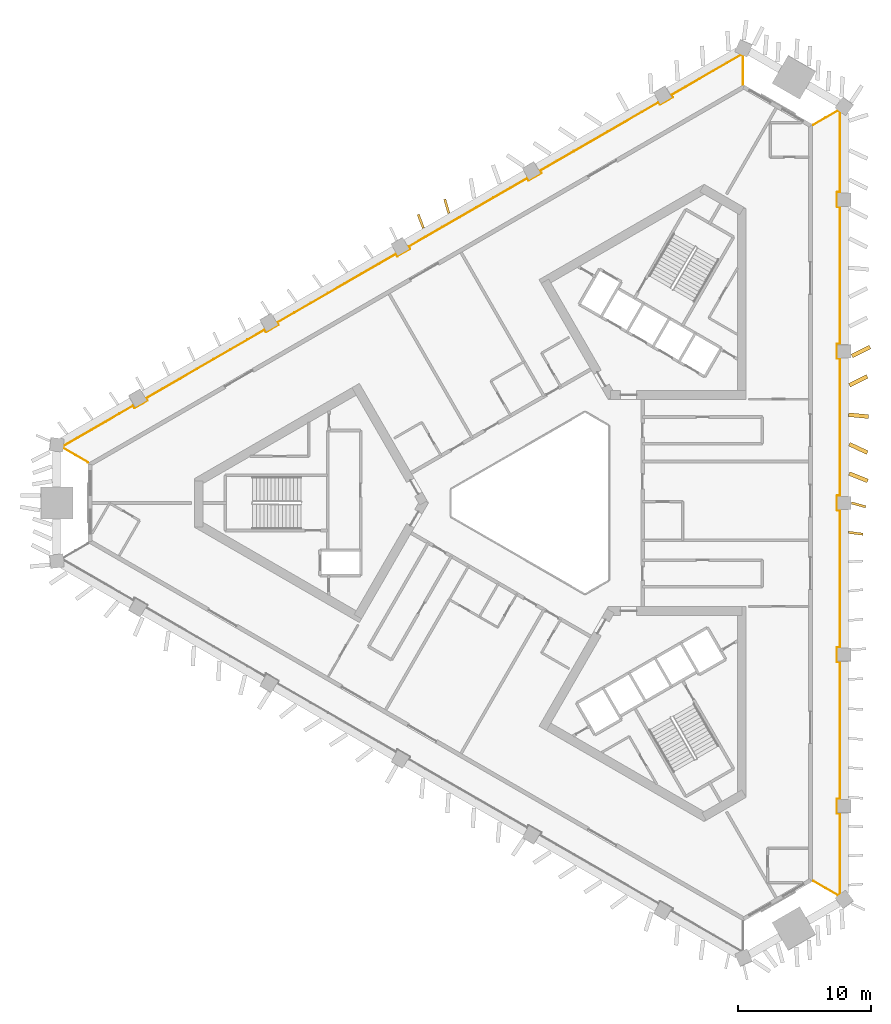
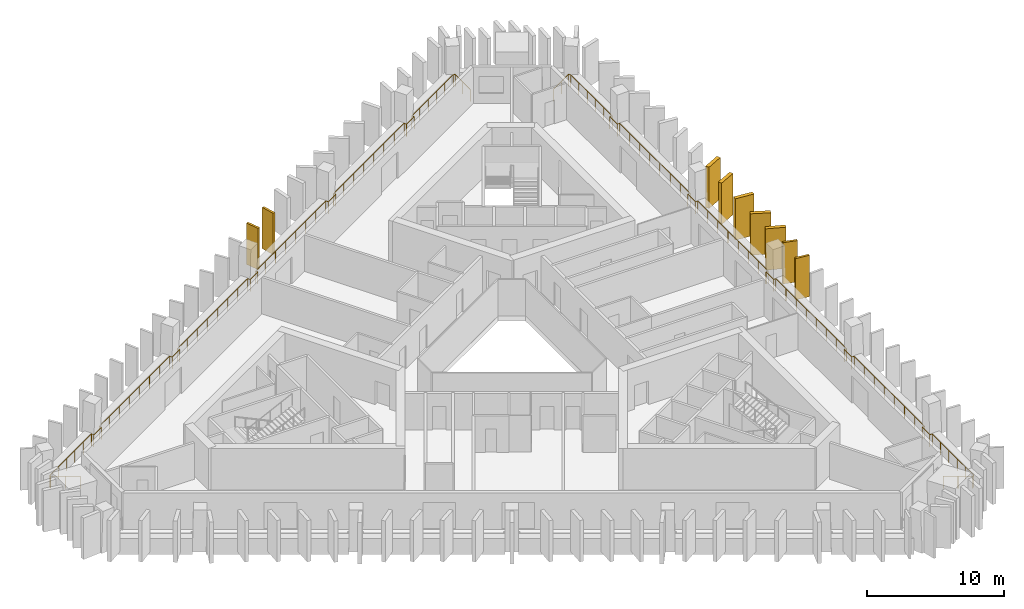
# One storey, part 9 of 10: 9 shading devices, 2 railings.
"""IFC4 building model written with IfcOpenShell, lengths in metres."""

import ifcopenshell
import ifcopenshell.guid

model = None  # the IFC model being written
_history = None  # IfcOwnerHistory: only IFC2X3 demands one
_inside = {}  # id of a spatial element -> (the spatial element, [elements in it])
_under = {}  # id of a project, library or spatial element -> (it, [spatial elements below it])
_declared = {}  # id of a project -> (the project, [libraries it declares])
_typed = {}  # id of a type object -> (the type object, [elements of that type])
_made_of = {}  # id of a material, layer set ... -> (it, [elements and type objects made of it])


def new_model(schema):
    """Start an empty IFC model of exactly this schema.

    Asked for "IFC4X3", IfcOpenShell would pick the latest addendum, in which some entities
    have other attributes; the version numbers below select the first issue.
    IFC2X3 requires an IfcOwnerHistory on every rooted entity: one is made here for all.
    """
    global model, _history
    if schema == "IFC4X3":
        model = ifcopenshell.file(schema_version=(4, 3, 0, 0))
    else:
        model = ifcopenshell.file(schema=schema)
    _inside.clear()
    _under.clear()
    _declared.clear()
    _typed.clear()
    _made_of.clear()
    _history = None
    if model.schema == "IFC2X3":
        org = make("IfcOrganization", Name="unknown")
        user = make(
            "IfcPersonAndOrganization",
            ThePerson=make("IfcPerson", FamilyName="unknown"),
            TheOrganization=org,
        )
        app = make(
            "IfcApplication",
            ApplicationDeveloper=org,
            Version="unknown",
            ApplicationFullName="unknown",
            ApplicationIdentifier="unknown",
        )
        _history = make(
            "IfcOwnerHistory",
            OwningUser=user,
            OwningApplication=app,
            ChangeAction="ADDED",
            CreationDate=0,
        )
    return model


def make(cls, **values):
    """One entity of the class cls with the attributes given. An attribute that is None is left unset."""
    return model.create_entity(
        cls, **{name: value for name, value in values.items() if value is not None}
    )


def rooted(cls, **values):
    """An entity with a GlobalId (a new one), such as an element, a storey or a relation."""
    return make(cls, GlobalId=ifcopenshell.guid.new(), OwnerHistory=_history, **values)


def si_unit(unit_type, name, prefix=None):
    """IfcSIUnit, for example si_unit("LENGTHUNIT", "METRE", prefix="MILLI")."""
    return make("IfcSIUnit", UnitType=unit_type, Prefix=prefix, Name=name)


def assignment(units):
    """IfcUnitAssignment: the units of a project."""
    return None if units is None else make("IfcUnitAssignment", Units=units)


def point(xyz):
    """IfcCartesianPoint."""
    return None if xyz is None else make("IfcCartesianPoint", Coordinates=xyz)


def direction(xyz):
    """IfcDirection."""
    return None if xyz is None else make("IfcDirection", DirectionRatios=xyz)


def frame(location, z_axis=None, x_axis=None):
    """IfcAxis2Placement3D, a coordinate frame: its origin and axes. An axis left out is left unset."""
    return make(
        "IfcAxis2Placement3D",
        Location=point(location),
        Axis=direction(z_axis),
        RefDirection=direction(x_axis),
    )


def frame_2d(location, x_axis=None):
    """IfcAxis2Placement2D, a coordinate frame in the plane: its origin and x axis."""
    return make(
        "IfcAxis2Placement2D", Location=point(location), RefDirection=direction(x_axis)
    )


def origin():
    """The frame at (0, 0, 0) with its axes left unset."""
    return frame((0.0, 0.0, 0.0))


def origin_2d():
    """The frame at (0, 0) in the plane with its x axis left unset."""
    return frame_2d((0.0, 0.0))


def place(relative_to, where):
    """IfcLocalPlacement: puts the frame where relative to a parent placement (None: the world)."""
    return make(
        "IfcLocalPlacement", PlacementRelTo=relative_to, RelativePlacement=where
    )


def context(
    kind, dimensions, precision=None, world=None, true_north=None, identifier=None
):
    """IfcGeometricRepresentationContext, for example the 3D "Model" context."""
    return make(
        "IfcGeometricRepresentationContext",
        ContextIdentifier=identifier,
        ContextType=kind,
        CoordinateSpaceDimension=dimensions,
        Precision=precision,
        WorldCoordinateSystem=world,
        TrueNorth=true_north,
    )


def subcontext(parent, identifier, kind, view, scale=None):
    """IfcGeometricRepresentationSubContext, for example "Body" below "Model"."""
    return make(
        "IfcGeometricRepresentationSubContext",
        ContextIdentifier=identifier,
        ContextType=kind,
        ParentContext=parent,
        TargetScale=scale,
        TargetView=view,
    )


def project(units=None, contexts=None):
    """IfcProject with its units and contexts."""
    return rooted(
        "IfcProject",
        Name="project",
        RepresentationContexts=contexts,
        UnitsInContext=assignment(units),
    )


def spatial(cls, under=None, at=None, **own):
    """A site, building, storey or space (cls), placed at a placement, below another one or the project."""
    s = rooted(cls, ObjectPlacement=at, **own)
    if under is not None:
        _under.setdefault(under.id(), (under, []))[1].append(s)
    return s


def profile(cls, at=None, kind="AREA", **sizes):
    """A parametric profile (cls). Its sizes go by their IFC names, for example OverallWidth=200.0."""
    return make(cls, ProfileType=kind, Position=at, **sizes)


def rectangle(**sizes):
    """IfcRectangleProfileDef."""
    return profile("IfcRectangleProfileDef", **sizes)


def circle(**sizes):
    """IfcCircleProfileDef."""
    return profile("IfcCircleProfileDef", **sizes)


def extrude(swept, where, along, depth):
    """IfcExtrudedAreaSolid: the profile swept, set in the frame where, extruded along a direction by depth."""
    return make(
        "IfcExtrudedAreaSolid",
        SweptArea=swept,
        Position=where,
        ExtrudedDirection=direction(along),
        Depth=depth,
    )


def shape(context_of_items, identifier, shape_type, items):
    """IfcShapeRepresentation: the items that make up one representation, for example the "Body"."""
    return make(
        "IfcShapeRepresentation",
        ContextOfItems=context_of_items,
        RepresentationIdentifier=identifier,
        RepresentationType=shape_type,
        Items=items,
    )


def material(Name=None, Category=None):
    """IfcMaterial."""
    return make("IfcMaterial", Name=Name, Category=Category)


def layer(
    of_material, thickness, ventilated=None, Name=None, Category=None, Priority=None
):
    """IfcMaterialLayer: one layer of a wall or slab, of a material (None: an air gap)."""
    return make(
        "IfcMaterialLayer",
        Material=of_material,
        LayerThickness=thickness,
        IsVentilated=ventilated,
        Name=Name,
        Category=Category,
        Priority=Priority,
    )


def layer_set(layers, Name=None):
    """IfcMaterialLayerSet."""
    return make("IfcMaterialLayerSet", MaterialLayers=layers, LayerSetName=Name)


def made_of(thing, what):
    """Note that an element or type object is made of a material, layer set ...; save() writes the relation."""
    if what is not None:
        _made_of.setdefault(what.id(), (what, []))[1].append(thing)
    return thing


def type_object(cls, material=None, **own):
    """A type object (cls), such as IfcWallType, which elements share."""
    return made_of(rooted(cls, **own), material)


def element(
    cls,
    number,
    at=None,
    inside=None,
    cuts=None,
    type_object=None,
    material=None,
    context=None,
    identifier="Body",
    shape_type=None,
    held_by="IfcProductDefinitionShape",
    body=None,
    shapes=None,
    **own,
):
    """One element of the class cls, such as IfcWall. Its Tag is "e" and its number.

    at: its placement. inside: the storey or other place that contains it. cuts: it is an
    opening in that element (IfcRelVoidsElement). A single representation is given by context,
    identifier, shape_type and body (its items); several are given by shapes. held_by: the class
    of the entity that holds the representations. save() writes the other relations.
    """
    e = rooted(cls, Tag="e%d" % number, ObjectPlacement=at, **own)
    if body is not None:
        shapes = [shape(context, identifier, shape_type, body)]
    if shapes is not None:
        e.Representation = make(held_by, Representations=shapes)
    if inside is not None:
        _inside.setdefault(inside.id(), (inside, []))[1].append(e)
    if cuts is not None:
        rooted(
            "IfcRelVoidsElement", RelatingBuildingElement=cuts, RelatedOpeningElement=e
        )
    if type_object is not None:
        _typed.setdefault(type_object.id(), (type_object, []))[1].append(e)
    return made_of(e, material)


def aggregate(whole, parts):
    """IfcRelAggregates: a whole, such as a stair, and the parts it consists of."""
    return rooted("IfcRelAggregates", RelatingObject=whole, RelatedObjects=parts)


def save(model, path):
    """Write the relations noted so far, then the file.

    IfcRelAggregates (storeys below a building ...), IfcRelContainedInSpatialStructure (elements
    in a storey), IfcRelDefinesByType, IfcRelAssociatesMaterial and IfcRelDeclares: one each for
    every whole, place, type object, material and project.
    """
    for whole, parts in _under.values():
        aggregate(whole, parts)
    for where, things in _inside.values():
        rooted(
            "IfcRelContainedInSpatialStructure",
            RelatedElements=things,
            RelatingStructure=where,
        )
    for kind, things in _typed.values():
        rooted("IfcRelDefinesByType", RelatedObjects=things, RelatingType=kind)
    for what, things in _made_of.values():
        rooted("IfcRelAssociatesMaterial", RelatedObjects=things, RelatingMaterial=what)
    for by, libraries in _declared.values():
        rooted("IfcRelDeclares", RelatingContext=by, RelatedDefinitions=libraries)
    model.write(path)


model = new_model("IFC4")

# Units and contexts
model_context = context("Model", 3, precision=1e-05, world=origin(), true_north=direction((0.0, 1.0)))
body_context = subcontext(model_context, "Body", "Model", "MODEL_VIEW")
ifc_project = project(units=[si_unit("LENGTHUNIT", "METRE"), si_unit("AREAUNIT", "SQUARE_METRE"), si_unit("VOLUMEUNIT", "CUBIC_METRE"), si_unit("PLANEANGLEUNIT", "RADIAN"), si_unit("MASSUNIT", "GRAM", prefix="KILO")], contexts=[model_context])

# Site, building, storey
site_placement = place(None, origin())
site = spatial("IfcSite", under=ifc_project, at=site_placement, CompositionType="ELEMENT")
building_placement = place(site_placement, origin())
building = spatial("IfcBuilding", under=site, at=building_placement, Name="Jabali Bay Hotel Tower and Convention Centre", CompositionType="ELEMENT")
storey_placement = place(building_placement, frame((0.0, 0.0, 117.89990234375)))
storey = spatial("IfcBuildingStorey", under=building, at=storey_placement, Name="L28", CompositionType="ELEMENT", Elevation=117.89990234375)

# Railings
ifc_material_1 = material(Name="Glass", Category="glass")
railing_type = type_object("IfcRailingType", Name="Loggia glass guard 1100", PredefinedType="BALUSTRADE", material=ifc_material_1)
railing_1_placement = place(storey_placement, frame((94.92529296875, 108.419189453125, 0.0)))
element("IfcRailing", 1, at=railing_1_placement, inside=storey, type_object=railing_type, Name="Loggia glass guard L28", PredefinedType="BALUSTRADE", context=body_context, shape_type="SweptSolid", body=[
    extrude(circle(Radius=0.02490234375, at=origin_2d()), frame((0.0, 0.0, 1.0751953125), z_axis=(0.866056034881, 0.49994694163, 0.0), x_axis=(-0.495669826239, 0.858646805445, 0.13052619222)), (0.0, 0.0, 1.0), 2.165283203125),
    extrude(circle(Radius=0.02490234375, at=origin_2d()), frame((1.875244140625, 1.08251953125, 1.0751953125), z_axis=(0.801691186768, -0.597738438666, 0.0), x_axis=(0.592624703461, 0.794832607529, 0.13052619222)), (0.0, 0.0, 1.0), 0.155517578125),
    extrude(circle(Radius=0.02490234375, at=origin_2d()), frame((2.0, 0.989501953125, 1.0751953125), z_axis=(0.0, -1.0, 0.0), x_axis=(0.991444861374, 0.0, 0.13052619222)), (0.0, 0.0, 1.0), 6.053466796875),
    extrude(circle(Radius=0.02490234375, at=origin_2d()), frame((2.0, -5.06396484375, 1.0751953125), z_axis=(-1.0, 0.0, 0.0), x_axis=(0.0, -0.991444861374, 0.13052619222)), (0.0, 0.0, 1.0), 0.199951171875),
    extrude(circle(Radius=0.02490234375, at=origin_2d()), frame((1.800048828125, -5.06396484375, 1.0751953125), z_axis=(0.0, -1.0, 0.0), x_axis=(0.991444861374, 0.0, 0.13052619222)), (0.0, 0.0, 1.0), 1.099853515625),
    extrude(circle(Radius=0.02490234375, at=origin_2d()), frame((1.800048828125, -6.163818359375, 1.0751953125), z_axis=(1.0, 0.0, 0.0), x_axis=(0.0, 0.991444861374, 0.13052619222)), (0.0, 0.0, 1.0), 0.199951171875),
    extrude(circle(Radius=0.02490234375, at=origin_2d()), frame((2.0, -6.163818359375, 1.0751953125), z_axis=(0.0, -1.0, 0.0), x_axis=(0.991444861374, 0.0, 0.13052619222)), (0.0, 0.0, 1.0), 10.302734375),
    extrude(circle(Radius=0.02490234375, at=origin_2d()), frame((2.0, -16.466552734375, 1.0751953125), z_axis=(-1.0, 0.0, 0.0), x_axis=(0.0, -0.991444861374, 0.13052619222)), (0.0, 0.0, 1.0), 0.199951171875),
    extrude(circle(Radius=0.02490234375, at=origin_2d()), frame((1.800048828125, -16.466552734375, 1.0751953125), z_axis=(0.0, -1.0, 0.0), x_axis=(0.991444861374, 0.0, 0.13052619222)), (0.0, 0.0, 1.0), 1.10009765625),
    extrude(circle(Radius=0.02490234375, at=origin_2d()), frame((1.800048828125, -17.566650390625, 1.0751953125), z_axis=(1.0, 0.0, 0.0), x_axis=(0.0, 0.991444861374, 0.13052619222)), (0.0, 0.0, 1.0), 0.199951171875),
    extrude(circle(Radius=0.02490234375, at=origin_2d()), frame((2.0, -17.566650390625, 1.0751953125), z_axis=(0.0, -1.0, 0.0), x_axis=(0.991444861374, 0.0, 0.13052619222)), (0.0, 0.0, 1.0), 10.302490234375),
    extrude(circle(Radius=0.02490234375, at=origin_2d()), frame((2.0, -27.869140625, 1.0751953125), z_axis=(-1.0, 0.0, 0.0), x_axis=(0.0, -0.991444861374, 0.13052619222)), (0.0, 0.0, 1.0), 0.199951171875),
    extrude(circle(Radius=0.02490234375, at=origin_2d()), frame((1.800048828125, -27.869140625, 1.0751953125), z_axis=(0.0, -1.0, 0.0), x_axis=(0.991444861374, 0.0, 0.13052619222)), (0.0, 0.0, 1.0), 1.10009765625),
    extrude(circle(Radius=0.02490234375, at=origin_2d()), frame((1.800048828125, -28.96923828125, 1.0751953125), z_axis=(1.0, 0.0, 0.0), x_axis=(0.0, 0.991444861374, 0.13052619222)), (0.0, 0.0, 1.0), 0.199951171875),
    extrude(circle(Radius=0.02490234375, at=origin_2d()), frame((2.0, -28.96923828125, 1.0751953125), z_axis=(0.0, -1.0, 0.0), x_axis=(0.991444861374, 0.0, 0.13052619222)), (0.0, 0.0, 1.0), 10.302490234375),
    extrude(circle(Radius=0.02490234375, at=origin_2d()), frame((2.0, -39.271728515625, 1.0751953125), z_axis=(-1.0, 0.0, 0.0), x_axis=(0.0, -0.991444861374, 0.13052619222)), (0.0, 0.0, 1.0), 0.199951171875),
    extrude(circle(Radius=0.02490234375, at=origin_2d()), frame((1.800048828125, -39.271728515625, 1.0751953125), z_axis=(0.0, -1.0, 0.0), x_axis=(0.991444861374, 0.0, 0.13052619222)), (0.0, 0.0, 1.0), 1.10009765625),
    extrude(circle(Radius=0.02490234375, at=origin_2d()), frame((1.800048828125, -40.371826171875, 1.0751953125), z_axis=(1.0, 0.0, 0.0), x_axis=(0.0, 0.991444861374, 0.13052619222)), (0.0, 0.0, 1.0), 0.199951171875),
    extrude(circle(Radius=0.02490234375, at=origin_2d()), frame((2.0, -40.371826171875, 1.0751953125), z_axis=(0.0, -1.0, 0.0), x_axis=(0.991444861374, 0.0, 0.13052619222)), (0.0, 0.0, 1.0), 10.302734375),
    extrude(circle(Radius=0.02490234375, at=origin_2d()), frame((2.0, -50.674560546875, 1.0751953125), z_axis=(-1.0, 0.0, 0.0), x_axis=(0.0, -0.991444861374, 0.13052619222)), (0.0, 0.0, 1.0), 0.199951171875),
    extrude(circle(Radius=0.02490234375, at=origin_2d()), frame((1.800048828125, -50.674560546875, 1.0751953125), z_axis=(0.0, -1.0, 0.0), x_axis=(0.991444861374, 0.0, 0.13052619222)), (0.0, 0.0, 1.0), 1.099853515625),
    extrude(circle(Radius=0.02490234375, at=origin_2d()), frame((1.800048828125, -51.7744140625, 1.0751953125), z_axis=(1.0, 0.0, 0.0), x_axis=(0.0, 0.991444861374, 0.13052619222)), (0.0, 0.0, 1.0), 0.199951171875),
    extrude(circle(Radius=0.02490234375, at=origin_2d()), frame((2.0, -51.7744140625, 1.0751953125), z_axis=(0.0, -1.0, 0.0), x_axis=(0.991444861374, 0.0, 0.13052619222)), (0.0, 0.0, 1.0), 6.053466796875),
    extrude(circle(Radius=0.02490234375, at=origin_2d()), frame((2.0, -57.827880859375, 1.0751953125), z_axis=(-0.801691186768, -0.597738438666, 0.0), x_axis=(0.592624703461, -0.794832607529, 0.13052619222)), (0.0, 0.0, 1.0), 0.155517578125),
    extrude(circle(Radius=0.02490234375, at=origin_2d()), frame((1.875244140625, -57.9208984375, 1.0751953125), z_axis=(-0.866056034881, 0.49994694163, 0.0), x_axis=(-0.495669826239, -0.858646805445, 0.13052619222)), (0.0, 0.0, 1.0), 2.165283203125),
    extrude(circle(Radius=0.02001953125, at=origin_2d()), origin(), (0.0, 0.0, 1.0), 1.050048828125),
    extrude(circle(Radius=0.02001953125, at=origin_2d()), frame((0.9375, 0.541259765625, 0.0)), (0.0, 0.0, 1.0), 1.050048828125),
    extrude(circle(Radius=0.02001953125, at=origin_2d()), frame((1.875244140625, 1.08251953125, 0.0)), (0.0, 0.0, 1.0), 1.050048828125),
    extrude(circle(Radius=0.02001953125, at=origin_2d()), frame((2.0, 0.989501953125, 0.0)), (0.0, 0.0, 1.0), 1.050048828125),
    extrude(circle(Radius=0.02001953125, at=origin_2d()), frame((2.0, -0.22119140625, 0.0)), (0.0, 0.0, 1.0), 1.050048828125),
    extrude(circle(Radius=0.02001953125, at=origin_2d()), frame((2.0, -1.431884765625, 0.0)), (0.0, 0.0, 1.0), 1.050048828125),
    extrude(circle(Radius=0.02001953125, at=origin_2d()), frame((2.0, -2.642578125, 0.0)), (0.0, 0.0, 1.0), 1.050048828125),
    extrude(circle(Radius=0.02001953125, at=origin_2d()), frame((2.0, -3.853271484375, 0.0)), (0.0, 0.0, 1.0), 1.050048828125),
    extrude(circle(Radius=0.02001953125, at=origin_2d()), frame((2.0, -5.06396484375, 0.0)), (0.0, 0.0, 1.0), 1.050048828125),
    extrude(circle(Radius=0.02001953125, at=origin_2d()), frame((1.800048828125, -5.06396484375, 0.0)), (0.0, 0.0, 1.0), 1.050048828125),
    extrude(circle(Radius=0.02001953125, at=origin_2d()), frame((1.800048828125, -6.163818359375, 0.0)), (0.0, 0.0, 1.0), 1.050048828125),
    extrude(circle(Radius=0.02001953125, at=origin_2d()), frame((2.0, -6.163818359375, 0.0)), (0.0, 0.0, 1.0), 1.050048828125),
    extrude(circle(Radius=0.02001953125, at=origin_2d()), frame((2.0, -7.6357421875, 0.0)), (0.0, 0.0, 1.0), 1.050048828125),
    extrude(circle(Radius=0.02001953125, at=origin_2d()), frame((2.0, -9.107421875, 0.0)), (0.0, 0.0, 1.0), 1.050048828125),
    extrude(circle(Radius=0.02001953125, at=origin_2d()), frame((2.0, -10.579345703125, 0.0)), (0.0, 0.0, 1.0), 1.050048828125),
    extrude(circle(Radius=0.02001953125, at=origin_2d()), frame((2.0, -12.051025390625, 0.0)), (0.0, 0.0, 1.0), 1.050048828125),
    extrude(circle(Radius=0.02001953125, at=origin_2d()), frame((2.0, -13.52294921875, 0.0)), (0.0, 0.0, 1.0), 1.050048828125),
    extrude(circle(Radius=0.02001953125, at=origin_2d()), frame((2.0, -14.99462890625, 0.0)), (0.0, 0.0, 1.0), 1.050048828125),
    extrude(circle(Radius=0.02001953125, at=origin_2d()), frame((2.0, -16.466552734375, 0.0)), (0.0, 0.0, 1.0), 1.050048828125),
    extrude(circle(Radius=0.02001953125, at=origin_2d()), frame((1.800048828125, -16.466552734375, 0.0)), (0.0, 0.0, 1.0), 1.050048828125),
    extrude(circle(Radius=0.02001953125, at=origin_2d()), frame((1.800048828125, -17.566650390625, 0.0)), (0.0, 0.0, 1.0), 1.050048828125),
    extrude(circle(Radius=0.02001953125, at=origin_2d()), frame((2.0, -17.566650390625, 0.0)), (0.0, 0.0, 1.0), 1.050048828125),
    extrude(circle(Radius=0.02001953125, at=origin_2d()), frame((2.0, -19.038330078125, 0.0)), (0.0, 0.0, 1.0), 1.050048828125),
    extrude(circle(Radius=0.02001953125, at=origin_2d()), frame((2.0, -20.51025390625, 0.0)), (0.0, 0.0, 1.0), 1.050048828125),
    extrude(circle(Radius=0.02001953125, at=origin_2d()), frame((2.0, -21.98193359375, 0.0)), (0.0, 0.0, 1.0), 1.050048828125),
    extrude(circle(Radius=0.02001953125, at=origin_2d()), frame((2.0, -23.453857421875, 0.0)), (0.0, 0.0, 1.0), 1.050048828125),
    extrude(circle(Radius=0.02001953125, at=origin_2d()), frame((2.0, -24.925537109375, 0.0)), (0.0, 0.0, 1.0), 1.050048828125),
    extrude(circle(Radius=0.02001953125, at=origin_2d()), frame((2.0, -26.3974609375, 0.0)), (0.0, 0.0, 1.0), 1.050048828125),
    extrude(circle(Radius=0.02001953125, at=origin_2d()), frame((2.0, -27.869140625, 0.0)), (0.0, 0.0, 1.0), 1.050048828125),
    extrude(circle(Radius=0.02001953125, at=origin_2d()), frame((1.800048828125, -27.869140625, 0.0)), (0.0, 0.0, 1.0), 1.050048828125),
    extrude(circle(Radius=0.02001953125, at=origin_2d()), frame((1.800048828125, -28.96923828125, 0.0)), (0.0, 0.0, 1.0), 1.050048828125),
    extrude(circle(Radius=0.02001953125, at=origin_2d()), frame((2.0, -28.96923828125, 0.0)), (0.0, 0.0, 1.0), 1.050048828125),
    extrude(circle(Radius=0.02001953125, at=origin_2d()), frame((2.0, -30.44091796875, 0.0)), (0.0, 0.0, 1.0), 1.050048828125),
    extrude(circle(Radius=0.02001953125, at=origin_2d()), frame((2.0, -31.912841796875, 0.0)), (0.0, 0.0, 1.0), 1.050048828125),
    extrude(circle(Radius=0.02001953125, at=origin_2d()), frame((2.0, -33.384521484375, 0.0)), (0.0, 0.0, 1.0), 1.050048828125),
    extrude(circle(Radius=0.02001953125, at=origin_2d()), frame((2.0, -34.8564453125, 0.0)), (0.0, 0.0, 1.0), 1.050048828125),
    extrude(circle(Radius=0.02001953125, at=origin_2d()), frame((2.0, -36.328125, 0.0)), (0.0, 0.0, 1.0), 1.050048828125),
    extrude(circle(Radius=0.02001953125, at=origin_2d()), frame((2.0, -37.800048828125, 0.0)), (0.0, 0.0, 1.0), 1.050048828125),
    extrude(circle(Radius=0.02001953125, at=origin_2d()), frame((2.0, -39.271728515625, 0.0)), (0.0, 0.0, 1.0), 1.050048828125),
    extrude(circle(Radius=0.02001953125, at=origin_2d()), frame((1.800048828125, -39.271728515625, 0.0)), (0.0, 0.0, 1.0), 1.050048828125),
    extrude(circle(Radius=0.02001953125, at=origin_2d()), frame((1.800048828125, -40.371826171875, 0.0)), (0.0, 0.0, 1.0), 1.050048828125),
    extrude(circle(Radius=0.02001953125, at=origin_2d()), frame((2.0, -40.371826171875, 0.0)), (0.0, 0.0, 1.0), 1.050048828125),
    extrude(circle(Radius=0.02001953125, at=origin_2d()), frame((2.0, -41.84375, 0.0)), (0.0, 0.0, 1.0), 1.050048828125),
    extrude(circle(Radius=0.02001953125, at=origin_2d()), frame((2.0, -43.3154296875, 0.0)), (0.0, 0.0, 1.0), 1.050048828125),
    extrude(circle(Radius=0.02001953125, at=origin_2d()), frame((2.0, -44.787353515625, 0.0)), (0.0, 0.0, 1.0), 1.050048828125),
    extrude(circle(Radius=0.02001953125, at=origin_2d()), frame((2.0, -46.259033203125, 0.0)), (0.0, 0.0, 1.0), 1.050048828125),
    extrude(circle(Radius=0.02001953125, at=origin_2d()), frame((2.0, -47.73095703125, 0.0)), (0.0, 0.0, 1.0), 1.050048828125),
    extrude(circle(Radius=0.02001953125, at=origin_2d()), frame((2.0, -49.20263671875, 0.0)), (0.0, 0.0, 1.0), 1.050048828125),
    extrude(circle(Radius=0.02001953125, at=origin_2d()), frame((2.0, -50.674560546875, 0.0)), (0.0, 0.0, 1.0), 1.050048828125),
    extrude(circle(Radius=0.02001953125, at=origin_2d()), frame((1.800048828125, -50.674560546875, 0.0)), (0.0, 0.0, 1.0), 1.050048828125),
    extrude(circle(Radius=0.02001953125, at=origin_2d()), frame((1.800048828125, -51.7744140625, 0.0)), (0.0, 0.0, 1.0), 1.050048828125),
    extrude(circle(Radius=0.02001953125, at=origin_2d()), frame((2.0, -51.7744140625, 0.0)), (0.0, 0.0, 1.0), 1.050048828125),
    extrude(circle(Radius=0.02001953125, at=origin_2d()), frame((2.0, -52.985107421875, 0.0)), (0.0, 0.0, 1.0), 1.050048828125),
    extrude(circle(Radius=0.02001953125, at=origin_2d()), frame((2.0, -54.19580078125, 0.0)), (0.0, 0.0, 1.0), 1.050048828125),
    extrude(circle(Radius=0.02001953125, at=origin_2d()), frame((2.0, -55.406494140625, 0.0)), (0.0, 0.0, 1.0), 1.050048828125),
    extrude(circle(Radius=0.02001953125, at=origin_2d()), frame((2.0, -56.6171875, 0.0)), (0.0, 0.0, 1.0), 1.050048828125),
    extrude(circle(Radius=0.02001953125, at=origin_2d()), frame((2.0, -57.827880859375, 0.0)), (0.0, 0.0, 1.0), 1.050048828125),
    extrude(circle(Radius=0.02001953125, at=origin_2d()), frame((1.875244140625, -57.9208984375, 0.0)), (0.0, 0.0, 1.0), 1.050048828125),
    extrude(circle(Radius=0.02001953125, at=origin_2d()), frame((0.9375, -57.379638671875, 0.0)), (0.0, 0.0, 1.0), 1.050048828125),
    extrude(circle(Radius=0.02001953125, at=origin_2d()), frame((0.0, -56.83837890625, 0.0)), (0.0, 0.0, 1.0), 1.050048828125),
])
railing_2_placement = place(storey_placement, frame((40.425537109375, 83.04638671875, 0.0)))
element("IfcRailing", 2, at=railing_2_placement, inside=storey, type_object=railing_type, Name="Loggia glass guard L28", PredefinedType="BALUSTRADE", context=body_context, shape_type="SweptSolid", body=[
    extrude(circle(Radius=0.02490234375, at=origin_2d()), frame((0.0, 0.0, 1.0751953125), z_axis=(-0.866056034881, 0.49994694163, 0.0), x_axis=(-0.495669826239, -0.858646805445, 0.13052619222)), (0.0, 0.0, 1.0), 2.165283203125),
    extrude(circle(Radius=0.02490234375, at=origin_2d()), frame((-1.875244140625, 1.08251953125, 1.0751953125), z_axis=(0.117477392411, 0.993075557182, 0.0), x_axis=(-0.984579658124, 0.116472357034, 0.13052619222)), (0.0, 0.0, 1.0), 0.15576171875),
    extrude(circle(Radius=0.02490234375, at=origin_2d()), frame((-1.85693359375, 1.2373046875, 1.0751953125), z_axis=(0.866033128514, 0.499986620137, 0.0), x_axis=(-0.49570916529, 0.858624095045, 0.13052619222)), (0.0, 0.0, 1.0), 6.053466796875),
    extrude(circle(Radius=0.02490234375, at=origin_2d()), frame((3.385498046875, 4.263916015625, 1.0751953125), z_axis=(0.500603037456, -0.865676959893, 0.0), x_axis=(0.858270973496, 0.496320309074, 0.13052619222)), (0.0, 0.0, 1.0), 0.199951171875),
    extrude(circle(Radius=0.02490234375, at=origin_2d()), frame((3.485595703125, 4.0908203125, 1.0751953125), z_axis=(0.866104278045, 0.499863360881, 0.0), x_axis=(-0.495586960535, 0.858694635882, 0.13052619222)), (0.0, 0.0, 1.0), 1.099853515625),
    extrude(circle(Radius=0.02490234375, at=origin_2d()), frame((4.438232421875, 4.640625, 1.0751953125), z_axis=(-0.500074377092, 0.865982457891, 0.0), x_axis=(-0.858573857916, -0.495796171473, 0.13052619222)), (0.0, 0.0, 1.0), 0.2001953125),
    extrude(circle(Radius=0.02490234375, at=origin_2d()), frame((4.338134765625, 4.81396484375, 1.0751953125), z_axis=(0.866023792161, 0.500002791403, 0.0), x_axis=(-0.495725198209, 0.858614838566, 0.13052619222)), (0.0, 0.0, 1.0), 10.302734375),
    extrude(circle(Radius=0.02490234375, at=origin_2d()), frame((13.260498046875, 9.96533203125, 1.0751953125), z_axis=(0.500074377092, -0.865982457891, 0.0), x_axis=(0.858573857916, 0.495796171473, 0.13052619222)), (0.0, 0.0, 1.0), 0.2001953125),
    extrude(circle(Radius=0.02490234375, at=origin_2d()), frame((13.360595703125, 9.7919921875, 1.0751953125), z_axis=(0.866008176907, 0.50002983664, 0.0), x_axis=(-0.495752012071, 0.858599356902, 0.13052619222)), (0.0, 0.0, 1.0), 1.10009765625),
    extrude(circle(Radius=0.02490234375, at=origin_2d()), frame((14.313232421875, 10.342041015625, 1.0751953125), z_axis=(-0.500603037456, 0.865676959893, 0.0), x_axis=(-0.858270973496, -0.496320309074, 0.13052619222)), (0.0, 0.0, 1.0), 0.199951171875),
    extrude(circle(Radius=0.02490234375, at=origin_2d()), frame((14.213134765625, 10.51513671875, 1.0751953125), z_axis=(0.866023792161, 0.500002791403, 0.0), x_axis=(-0.495725198209, 0.858614838566, 0.13052619222)), (0.0, 0.0, 1.0), 10.302734375),
    extrude(circle(Radius=0.02490234375, at=origin_2d()), frame((23.135498046875, 15.66650390625, 1.0751953125), z_axis=(0.499687197852, -0.866205924883, 0.0), x_axis=(0.858795413117, 0.495412304605, 0.13052619222)), (0.0, 0.0, 1.0), 0.199951171875),
    extrude(circle(Radius=0.02490234375, at=origin_2d()), frame((23.2353515625, 15.493408203125, 1.0751953125), z_axis=(0.866008176907, 0.50002983664, 0.0), x_axis=(-0.495752012071, 0.858599356902, 0.13052619222)), (0.0, 0.0, 1.0), 1.10009765625),
    extrude(circle(Radius=0.02490234375, at=origin_2d()), frame((24.18798828125, 16.04345703125, 1.0751953125), z_axis=(-0.499687197852, 0.866205924883, 0.0), x_axis=(-0.858795413117, -0.495412304605, 0.13052619222)), (0.0, 0.0, 1.0), 0.199951171875),
    extrude(circle(Radius=0.02490234375, at=origin_2d()), frame((24.088134765625, 16.216552734375, 1.0751953125), z_axis=(0.866023792161, 0.500002791403, 0.0), x_axis=(-0.495725198209, 0.858614838566, 0.13052619222)), (0.0, 0.0, 1.0), 10.302734375),
    extrude(circle(Radius=0.02490234375, at=origin_2d()), frame((33.010498046875, 21.367919921875, 1.0751953125), z_axis=(0.499158860599, -0.866510491504, 0.0), x_axis=(0.859097374128, 0.49488848735, 0.13052619222)), (0.0, 0.0, 1.0), 0.199951171875),
    extrude(circle(Radius=0.02490234375, at=origin_2d()), frame((33.1103515625, 21.194580078125, 1.0751953125), z_axis=(0.866008176907, 0.50002983664, 0.0), x_axis=(-0.495752012071, 0.858599356902, 0.13052619222)), (0.0, 0.0, 1.0), 1.10009765625),
    extrude(circle(Radius=0.02490234375, at=origin_2d()), frame((34.06298828125, 21.74462890625, 1.0751953125), z_axis=(-0.499158860599, 0.866510491504, 0.0), x_axis=(-0.859097374128, -0.49488848735, 0.13052619222)), (0.0, 0.0, 1.0), 0.199951171875),
    extrude(circle(Radius=0.02490234375, at=origin_2d()), frame((33.963134765625, 21.91796875, 1.0751953125), z_axis=(0.866034053161, 0.499985018542, 0.0), x_axis=(-0.495707577397, 0.858625011781, 0.13052619222)), (0.0, 0.0, 1.0), 10.302490234375),
    extrude(circle(Radius=0.02490234375, at=origin_2d()), frame((42.885498046875, 27.069091796875, 1.0751953125), z_axis=(0.499687197852, -0.866205924883, 0.0), x_axis=(0.858795413117, 0.495412304605, 0.13052619222)), (0.0, 0.0, 1.0), 0.199951171875),
    extrude(circle(Radius=0.02490234375, at=origin_2d()), frame((42.9853515625, 26.89599609375, 1.0751953125), z_axis=(0.866008176907, 0.50002983664, 0.0), x_axis=(-0.495752012071, 0.858599356902, 0.13052619222)), (0.0, 0.0, 1.0), 1.10009765625),
    extrude(circle(Radius=0.02490234375, at=origin_2d()), frame((43.93798828125, 27.446044921875, 1.0751953125), z_axis=(-0.499687197852, 0.866205924883, 0.0), x_axis=(-0.858795413117, -0.495412304605, 0.13052619222)), (0.0, 0.0, 1.0), 0.199951171875),
    extrude(circle(Radius=0.02490234375, at=origin_2d()), frame((43.838134765625, 27.619140625, 1.0751953125), z_axis=(0.866023045711, 0.500004084281, 0.0), x_axis=(-0.495726480026, 0.858614098501, 0.13052619222)), (0.0, 0.0, 1.0), 6.05322265625),
    extrude(circle(Radius=0.02490234375, at=origin_2d()), frame((49.080322265625, 30.645751953125, 1.0751953125), z_axis=(0.919226147347, -0.393729970962, 0.0), x_axis=(0.39036155648, 0.911362040227, 0.13052619222)), (0.0, 0.0, 1.0), 0.155517578125),
    extrude(circle(Radius=0.02490234375, at=origin_2d()), frame((49.223388671875, 30.58447265625, 1.0751953125), z_axis=(0.0, -1.0, 0.0), x_axis=(0.991444861374, 0.0, 0.13052619222)), (0.0, 0.0, 1.0), 2.165283203125),
    extrude(circle(Radius=0.02001953125, at=origin_2d()), origin(), (0.0, 0.0, 1.0), 1.050048828125),
    extrude(circle(Radius=0.02001953125, at=origin_2d()), frame((-0.9375, 0.541259765625, 0.0)), (0.0, 0.0, 1.0), 1.050048828125),
    extrude(circle(Radius=0.02001953125, at=origin_2d()), frame((-1.875244140625, 1.08251953125, 0.0)), (0.0, 0.0, 1.0), 1.050048828125),
    extrude(circle(Radius=0.02001953125, at=origin_2d()), frame((-1.85693359375, 1.2373046875, 0.0)), (0.0, 0.0, 1.0), 1.050048828125),
    extrude(circle(Radius=0.02001953125, at=origin_2d()), frame((-0.808349609375, 1.842529296875, 0.0)), (0.0, 0.0, 1.0), 1.050048828125),
    extrude(circle(Radius=0.02001953125, at=origin_2d()), frame((0.239990234375, 2.447998046875, 0.0)), (0.0, 0.0, 1.0), 1.050048828125),
    extrude(circle(Radius=0.02001953125, at=origin_2d()), frame((1.28857421875, 3.05322265625, 0.0)), (0.0, 0.0, 1.0), 1.050048828125),
    extrude(circle(Radius=0.02001953125, at=origin_2d()), frame((2.3369140625, 3.65869140625, 0.0)), (0.0, 0.0, 1.0), 1.050048828125),
    extrude(circle(Radius=0.02001953125, at=origin_2d()), frame((3.385498046875, 4.263916015625, 0.0)), (0.0, 0.0, 1.0), 1.050048828125),
    extrude(circle(Radius=0.02001953125, at=origin_2d()), frame((3.485595703125, 4.0908203125, 0.0)), (0.0, 0.0, 1.0), 1.050048828125),
    extrude(circle(Radius=0.02001953125, at=origin_2d()), frame((4.438232421875, 4.640625, 0.0)), (0.0, 0.0, 1.0), 1.050048828125),
    extrude(circle(Radius=0.02001953125, at=origin_2d()), frame((4.338134765625, 4.81396484375, 0.0)), (0.0, 0.0, 1.0), 1.050048828125),
    extrude(circle(Radius=0.02001953125, at=origin_2d()), frame((5.61279296875, 5.5498046875, 0.0)), (0.0, 0.0, 1.0), 1.050048828125),
    extrude(circle(Radius=0.02001953125, at=origin_2d()), frame((6.887451171875, 6.285888671875, 0.0)), (0.0, 0.0, 1.0), 1.050048828125),
    extrude(circle(Radius=0.02001953125, at=origin_2d()), frame((8.162109375, 7.021728515625, 0.0)), (0.0, 0.0, 1.0), 1.050048828125),
    extrude(circle(Radius=0.02001953125, at=origin_2d()), frame((9.4365234375, 7.757568359375, 0.0)), (0.0, 0.0, 1.0), 1.050048828125),
    extrude(circle(Radius=0.02001953125, at=origin_2d()), frame((10.711181640625, 8.493408203125, 0.0)), (0.0, 0.0, 1.0), 1.050048828125),
    extrude(circle(Radius=0.02001953125, at=origin_2d()), frame((11.98583984375, 9.2294921875, 0.0)), (0.0, 0.0, 1.0), 1.050048828125),
    extrude(circle(Radius=0.02001953125, at=origin_2d()), frame((13.260498046875, 9.96533203125, 0.0)), (0.0, 0.0, 1.0), 1.050048828125),
    extrude(circle(Radius=0.02001953125, at=origin_2d()), frame((13.360595703125, 9.7919921875, 0.0)), (0.0, 0.0, 1.0), 1.050048828125),
    extrude(circle(Radius=0.02001953125, at=origin_2d()), frame((14.313232421875, 10.342041015625, 0.0)), (0.0, 0.0, 1.0), 1.050048828125),
    extrude(circle(Radius=0.02001953125, at=origin_2d()), frame((14.213134765625, 10.51513671875, 0.0)), (0.0, 0.0, 1.0), 1.050048828125),
    extrude(circle(Radius=0.02001953125, at=origin_2d()), frame((15.48779296875, 11.2509765625, 0.0)), (0.0, 0.0, 1.0), 1.050048828125),
    extrude(circle(Radius=0.02001953125, at=origin_2d()), frame((16.762451171875, 11.987060546875, 0.0)), (0.0, 0.0, 1.0), 1.050048828125),
    extrude(circle(Radius=0.02001953125, at=origin_2d()), frame((18.037109375, 12.722900390625, 0.0)), (0.0, 0.0, 1.0), 1.050048828125),
    extrude(circle(Radius=0.02001953125, at=origin_2d()), frame((19.3115234375, 13.458740234375, 0.0)), (0.0, 0.0, 1.0), 1.050048828125),
    extrude(circle(Radius=0.02001953125, at=origin_2d()), frame((20.586181640625, 14.194580078125, 0.0)), (0.0, 0.0, 1.0), 1.050048828125),
    extrude(circle(Radius=0.02001953125, at=origin_2d()), frame((21.86083984375, 14.9306640625, 0.0)), (0.0, 0.0, 1.0), 1.050048828125),
    extrude(circle(Radius=0.02001953125, at=origin_2d()), frame((23.135498046875, 15.66650390625, 0.0)), (0.0, 0.0, 1.0), 1.050048828125),
    extrude(circle(Radius=0.02001953125, at=origin_2d()), frame((23.2353515625, 15.493408203125, 0.0)), (0.0, 0.0, 1.0), 1.050048828125),
    extrude(circle(Radius=0.02001953125, at=origin_2d()), frame((24.18798828125, 16.04345703125, 0.0)), (0.0, 0.0, 1.0), 1.050048828125),
    extrude(circle(Radius=0.02001953125, at=origin_2d()), frame((24.088134765625, 16.216552734375, 0.0)), (0.0, 0.0, 1.0), 1.050048828125),
    extrude(circle(Radius=0.02001953125, at=origin_2d()), frame((25.36279296875, 16.952392578125, 0.0)), (0.0, 0.0, 1.0), 1.050048828125),
    extrude(circle(Radius=0.02001953125, at=origin_2d()), frame((26.637451171875, 17.6884765625, 0.0)), (0.0, 0.0, 1.0), 1.050048828125),
    extrude(circle(Radius=0.02001953125, at=origin_2d()), frame((27.912109375, 18.42431640625, 0.0)), (0.0, 0.0, 1.0), 1.050048828125),
    extrude(circle(Radius=0.02001953125, at=origin_2d()), frame((29.1865234375, 19.16015625, 0.0)), (0.0, 0.0, 1.0), 1.050048828125),
    extrude(circle(Radius=0.02001953125, at=origin_2d()), frame((30.461181640625, 19.89599609375, 0.0)), (0.0, 0.0, 1.0), 1.050048828125),
    extrude(circle(Radius=0.02001953125, at=origin_2d()), frame((31.73583984375, 20.632080078125, 0.0)), (0.0, 0.0, 1.0), 1.050048828125),
    extrude(circle(Radius=0.02001953125, at=origin_2d()), frame((33.010498046875, 21.367919921875, 0.0)), (0.0, 0.0, 1.0), 1.050048828125),
    extrude(circle(Radius=0.02001953125, at=origin_2d()), frame((33.1103515625, 21.194580078125, 0.0)), (0.0, 0.0, 1.0), 1.050048828125),
    extrude(circle(Radius=0.02001953125, at=origin_2d()), frame((34.06298828125, 21.74462890625, 0.0)), (0.0, 0.0, 1.0), 1.050048828125),
    extrude(circle(Radius=0.02001953125, at=origin_2d()), frame((33.963134765625, 21.91796875, 0.0)), (0.0, 0.0, 1.0), 1.050048828125),
    extrude(circle(Radius=0.02001953125, at=origin_2d()), frame((35.23779296875, 22.65380859375, 0.0)), (0.0, 0.0, 1.0), 1.050048828125),
    extrude(circle(Radius=0.02001953125, at=origin_2d()), frame((36.512451171875, 23.3896484375, 0.0)), (0.0, 0.0, 1.0), 1.050048828125),
    extrude(circle(Radius=0.02001953125, at=origin_2d()), frame((37.787109375, 24.12548828125, 0.0)), (0.0, 0.0, 1.0), 1.050048828125),
    extrude(circle(Radius=0.02001953125, at=origin_2d()), frame((39.0615234375, 24.861572265625, 0.0)), (0.0, 0.0, 1.0), 1.050048828125),
    extrude(circle(Radius=0.02001953125, at=origin_2d()), frame((40.336181640625, 25.597412109375, 0.0)), (0.0, 0.0, 1.0), 1.050048828125),
    extrude(circle(Radius=0.02001953125, at=origin_2d()), frame((41.61083984375, 26.333251953125, 0.0)), (0.0, 0.0, 1.0), 1.050048828125),
    extrude(circle(Radius=0.02001953125, at=origin_2d()), frame((42.885498046875, 27.069091796875, 0.0)), (0.0, 0.0, 1.0), 1.050048828125),
    extrude(circle(Radius=0.02001953125, at=origin_2d()), frame((42.9853515625, 26.89599609375, 0.0)), (0.0, 0.0, 1.0), 1.050048828125),
    extrude(circle(Radius=0.02001953125, at=origin_2d()), frame((43.93798828125, 27.446044921875, 0.0)), (0.0, 0.0, 1.0), 1.050048828125),
    extrude(circle(Radius=0.02001953125, at=origin_2d()), frame((43.838134765625, 27.619140625, 0.0)), (0.0, 0.0, 1.0), 1.050048828125),
    extrude(circle(Radius=0.02001953125, at=origin_2d()), frame((44.886474609375, 28.224365234375, 0.0)), (0.0, 0.0, 1.0), 1.050048828125),
    extrude(circle(Radius=0.02001953125, at=origin_2d()), frame((45.93505859375, 28.829833984375, 0.0)), (0.0, 0.0, 1.0), 1.050048828125),
    extrude(circle(Radius=0.02001953125, at=origin_2d()), frame((46.9833984375, 29.43505859375, 0.0)), (0.0, 0.0, 1.0), 1.050048828125),
    extrude(circle(Radius=0.02001953125, at=origin_2d()), frame((48.031982421875, 30.04052734375, 0.0)), (0.0, 0.0, 1.0), 1.050048828125),
    extrude(circle(Radius=0.02001953125, at=origin_2d()), frame((49.080322265625, 30.645751953125, 0.0)), (0.0, 0.0, 1.0), 1.050048828125),
    extrude(circle(Radius=0.02001953125, at=origin_2d()), frame((49.223388671875, 30.58447265625, 0.0)), (0.0, 0.0, 1.0), 1.050048828125),
    extrude(circle(Radius=0.02001953125, at=origin_2d()), frame((49.223388671875, 29.501953125, 0.0)), (0.0, 0.0, 1.0), 1.050048828125),
    extrude(circle(Radius=0.02001953125, at=origin_2d()), frame((49.223388671875, 28.419189453125, 0.0)), (0.0, 0.0, 1.0), 1.050048828125),
])

# Shading devices
ifc_material_2 = material(Name="Precast concrete C60", Category="concrete")
ifc_layer_1 = layer(ifc_material_2, 0.179931640625)
ifc_layer_set_1 = layer_set([ifc_layer_1], Name="Precast concrete C60")
shading_device_type_1 = type_object("IfcShadingDeviceType", Name="Precast fin 3680 x 1100", PredefinedType="USERDEFINED", material=ifc_layer_set_1)
shading_device_1_placement = place(storey_placement, frame((97.579345703125, 77.7900390625, 0.010009765625), z_axis=(0.0, 0.0, 1.0), x_axis=(0.991880229003, -0.12717551381, 0.0)))
element("IfcShadingDevice", 3, at=shading_device_1_placement, inside=storey, type_object=shading_device_type_1, Name="Fin L28 012", ObjectType="FIN", PredefinedType="USERDEFINED", context=body_context, shape_type="SweptSolid", body=[
    extrude(rectangle(XDim=1.10009765625, YDim=0.179931640625, at=frame_2d((0.550048828125, 0.0))), origin(), (0.0, 0.0, 1.0), 3.68017578125),
])
shading_device_2_placement = place(storey_placement, frame((97.799072265625, 80.0, 0.010009765625), z_axis=(0.0, 0.0, 1.0), x_axis=(0.96460999659, -0.263680781397, 0.0)))
element("IfcShadingDevice", 4, at=shading_device_2_placement, inside=storey, type_object=shading_device_type_1, Name="Fin L28 013", ObjectType="FIN", PredefinedType="USERDEFINED", context=body_context, shape_type="SweptSolid", body=[
    extrude(rectangle(XDim=1.099853515625, YDim=0.179931640625, at=frame_2d((0.5498046875, 0.0))), origin(), (0.0, 0.0, 1.0), 3.68017578125),
])
for number, where, z_axis, x_axis, name in (
    (5, (67.532958984375, 101.772705078125, 0.010009765625), (0.0, 0.0, 1.0), (-0.279642038727, 0.960104332964, 0.0), "Fin L28 046"),
    (6, (65.623046875, 100.6611328125, 0.010009765625), (0.0, 0.0, 1.0), (-0.361075039238, 0.932536763908, 0.0), "Fin L28 047"),
):
    element("IfcShadingDevice", number, at=place(storey_placement, frame(where, z_axis=z_axis, x_axis=x_axis)), inside=storey, type_object=shading_device_type_1, Name=name, ObjectType="FIN", PredefinedType="USERDEFINED", context=body_context, shape_type="SweptSolid", body=[
        extrude(rectangle(XDim=1.10009765625, YDim=0.179931640625, at=frame_2d((0.550048828125, 0.0))), origin(), (0.0, 0.0, 1.0), 3.68017578125),
    ])
ifc_layer_2 = layer(ifc_material_2, 0.300048828125)
ifc_layer_set_2 = layer_set([ifc_layer_2], Name="Precast concrete C60")
shading_device_type_2 = type_object("IfcShadingDeviceType", Name="Precast fin 3680 x 1500", PredefinedType="USERDEFINED", material=ifc_layer_set_2)
for number, where, z_axis, x_axis, name in (
    (7, (97.623046875, 82.2099609375, 0.010009765625), (0.0, 0.0, 1.0), (0.92988434152, -0.367852023776, 0.0), "Fin L28 014"),
    (8, (97.63134765625, 84.419921875, 0.010009765625), (0.0, 0.0, 1.0), (0.90574606275, -0.423820799174, 0.0), "Fin L28 015"),
):
    element("IfcShadingDevice", number, at=place(storey_placement, frame(where, z_axis=z_axis, x_axis=x_axis)), inside=storey, type_object=shading_device_type_2, Name=name, ObjectType="FIN", PredefinedType="USERDEFINED", context=body_context, shape_type="SweptSolid", body=[
        extrude(rectangle(XDim=1.5, YDim=0.300048828125, at=frame_2d((0.75, 0.0))), origin(), (0.0, 0.0, 1.0), 3.68017578125),
    ])
for number, where, z_axis, x_axis, name in (
    (9, (97.58203125, 86.629638671875, 0.010009765625), (0.0, 0.0, 1.0), (0.995563980791, -0.094086981834, 0.0), "Fin L28 016"),
    (10, (97.635009765625, 88.839599609375, 0.010009765625), (0.0, 0.0, 1.0), (0.894134000457, 0.447799496679, 0.0), "Fin L28 017"),
    (11, (97.8427734375, 91.049560546875, 0.010009765625), (0.0, 0.0, 1.0), (0.89348109328, 0.449100808227, 0.0), "Fin L28 018"),
):
    element("IfcShadingDevice", number, at=place(storey_placement, frame(where, z_axis=z_axis, x_axis=x_axis)), inside=storey, type_object=shading_device_type_2, Name=name, ObjectType="FIN", PredefinedType="USERDEFINED", context=body_context, shape_type="SweptSolid", body=[
        extrude(rectangle(XDim=1.499755859375, YDim=0.300048828125, at=frame_2d((0.75, 0.0))), origin(), (0.0, 0.0, 1.0), 3.68017578125),
    ])

save(model, "model.ifc")
